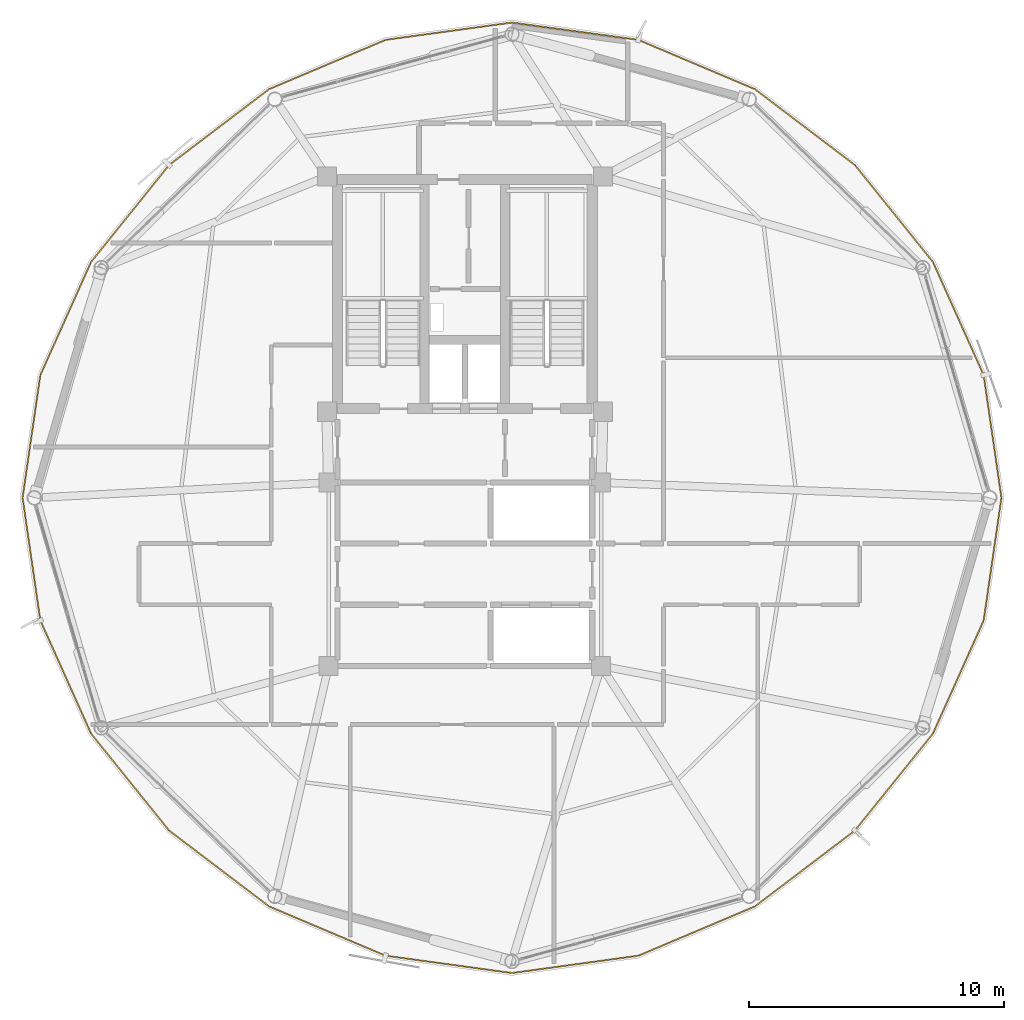
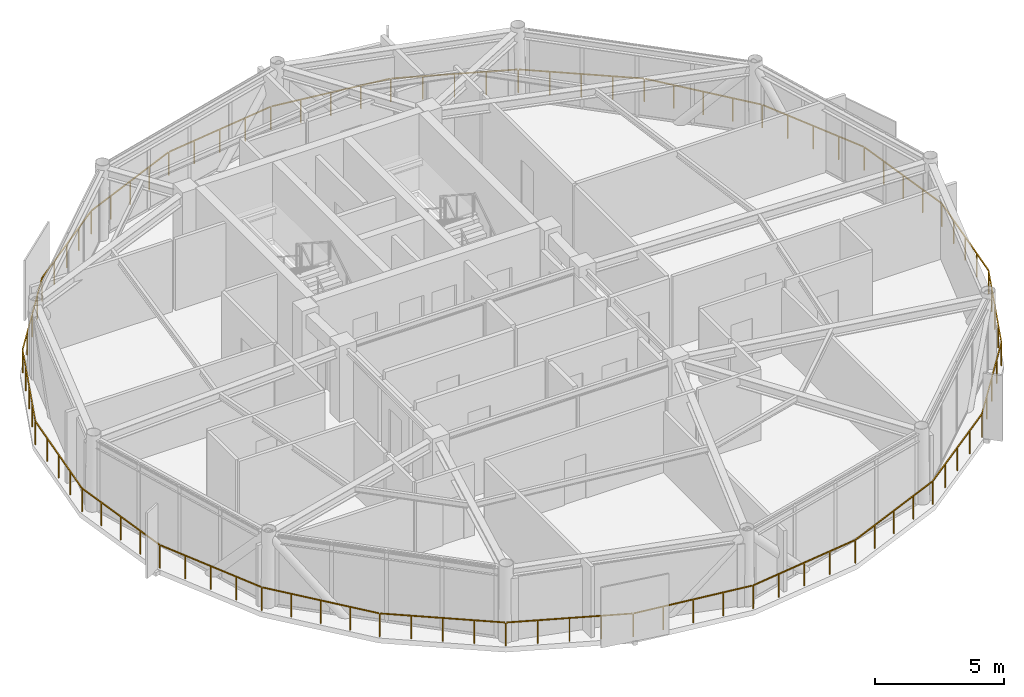
# One storey, part 26 of 27: 1 railing.
"""IFC4 building model written with IfcOpenShell, lengths in metres."""

from ifc_helpers import new_model, si_unit, direction, frame, origin, origin_2d, place, context, subcontext, project, spatial, rectangle, extrude, material, type_object, element, save


model = new_model("IFC4")

# Units and contexts
model_context = context("Model", 3, precision=1e-05, world=origin(), true_north=direction((0.0, 1.0)))
body_context = subcontext(model_context, "Body", "Model", "MODEL_VIEW")
ifc_project = project(units=[si_unit("LENGTHUNIT", "METRE"), si_unit("AREAUNIT", "SQUARE_METRE"), si_unit("VOLUMEUNIT", "CUBIC_METRE"), si_unit("PLANEANGLEUNIT", "RADIAN"), si_unit("MASSUNIT", "GRAM", prefix="KILO")], contexts=[model_context])

# Site, building, storey
site_placement = place(None, origin())
site = spatial("IfcSite", under=ifc_project, at=site_placement, CompositionType="ELEMENT")
building_placement = place(site_placement, origin())
building = spatial("IfcBuilding", under=site, at=building_placement, Name="Varnakorn Sky Granary", CompositionType="ELEMENT")
storey_placement = place(building_placement, frame((0.0, 0.0, 232.800048828125)))
storey = spatial("IfcBuildingStorey", under=building, at=storey_placement, Name="L59", CompositionType="ELEMENT", Elevation=232.800048828125)

# Railing
ifc_material = material(Name="Anodised Bronze Aluminium Alloy 6063-T6", Category="aluminium")
railing_type = type_object("IfcRailingType", Name="RL-BAL-1120", PredefinedType="BALUSTRADE", material=ifc_material)
railing_placement = place(storey_placement, frame((24.06494140625, 0.0, 0.0)))
element("IfcRailing", 1, at=railing_placement, inside=storey, type_object=railing_type, Name="Perimeter Slab-Edge Safety Guard L59", PredefinedType="BALUSTRADE", context=body_context, shape_type="SweptSolid", body=[
    extrude(rectangle(XDim=0.048095703125, YDim=0.048095703125, at=origin_2d()), frame((-0.00390625, -0.02783203125, 1.09619140625), z_axis=(-0.143359982334, -0.989670609579, 0.0), x_axis=(0.989670609579, -0.143359982334, 0.0)), (0.0, 0.0, 1.0), 4.809326171875),
    extrude(rectangle(XDim=0.048095703125, YDim=0.048095703125, at=origin_2d()), frame((-0.708984375, -4.8408203125, 1.09619140625), z_axis=(-0.409094770108, -0.912491900825, 0.0), x_axis=(0.912491900825, -0.409094770108, 0.0)), (0.0, 0.0, 1.0), 4.813720703125),
    extrude(rectangle(XDim=0.048095703125, YDim=0.048095703125, at=origin_2d()), frame((-2.707275390625, -9.280517578125, 1.09619140625), z_axis=(-0.627147700113, -0.778900354502, 0.0), x_axis=(0.778900354502, -0.627147700113, 0.0)), (0.0, 0.0, 1.0), 4.829833984375),
    extrude(rectangle(XDim=0.048095703125, YDim=0.048095703125, at=origin_2d()), frame((-5.776123046875, -13.081298828125, 1.09619140625), z_axis=(-0.796529023082, -0.604600293904, 0.0), x_axis=(0.604600293904, -0.796529023082, 0.0)), (0.0, 0.0, 1.0), 4.86669921875),
    extrude(rectangle(XDim=0.048095703125, YDim=0.048095703125, at=origin_2d()), frame((-9.700927734375, -16.0517578125, 1.09619140625), z_axis=(-0.920963862359, -0.389648000417, 0.0), x_axis=(0.389648000417, -0.920963862359, 0.0)), (0.0, 0.0, 1.0), 4.915771484375),
    extrude(rectangle(XDim=0.048095703125, YDim=0.048095703125, at=origin_2d()), frame((-14.28173828125, -17.98193359375, 1.09619140625), z_axis=(-0.990764182392, -0.135596220041, 0.0), x_axis=(0.135596220041, -0.990764182392, 0.0)), (0.0, 0.0, 1.0), 4.951171875),
    extrude(rectangle(XDim=0.048095703125, YDim=0.048095703125, at=origin_2d()), frame((-19.24267578125, -18.653076171875, 1.09619140625), z_axis=(-0.990765078809, 0.135589670005, 0.0), x_axis=(-0.135589670005, -0.990765078809, 0.0)), (0.0, 0.0, 1.0), 4.951416015625),
    extrude(rectangle(XDim=0.048095703125, YDim=0.048095703125, at=origin_2d()), frame((-24.201904296875, -17.967041015625, 1.09619140625), z_axis=(-0.920963862359, 0.389648000417, 0.0), x_axis=(-0.389648000417, -0.920963862359, 0.0)), (0.0, 0.0, 1.0), 4.915771484375),
    extrude(rectangle(XDim=0.048095703125, YDim=0.048095703125, at=origin_2d()), frame((-28.777099609375, -16.02392578125, 1.09619140625), z_axis=(-0.796529023082, 0.604600293904, 0.0), x_axis=(-0.604600293904, -0.796529023082, 0.0)), (0.0, 0.0, 1.0), 4.86669921875),
    extrude(rectangle(XDim=0.048095703125, YDim=0.048095703125, at=origin_2d()), frame((-32.693603515625, -13.042724609375, 1.09619140625), z_axis=(-0.627147700113, 0.778900354502, 0.0), x_axis=(-0.778900354502, -0.627147700113, 0.0)), (0.0, 0.0, 1.0), 4.829833984375),
    extrude(rectangle(XDim=0.048095703125, YDim=0.048095703125, at=origin_2d()), frame((-35.751708984375, -9.233154296875, 1.09619140625), z_axis=(-0.409094770108, 0.912491900825, 0.0), x_axis=(-0.912491900825, -0.409094770108, 0.0)), (0.0, 0.0, 1.0), 4.813720703125),
    extrude(rectangle(XDim=0.048095703125, YDim=0.048095703125, at=origin_2d()), frame((-37.736328125, -4.787353515625, 1.09619140625), z_axis=(-0.143359982334, 0.989670609579, 0.0), x_axis=(-0.989670609579, -0.143359982334, 0.0)), (0.0, 0.0, 1.0), 4.809326171875),
    extrude(rectangle(XDim=0.048095703125, YDim=0.048095703125, at=origin_2d()), frame((-38.426025390625, 0.02783203125, 1.09619140625), z_axis=(0.143359982334, 0.989670609579, 0.0), x_axis=(-0.989670609579, 0.143359982334, 0.0)), (0.0, 0.0, 1.0), 4.809326171875),
    extrude(rectangle(XDim=0.048095703125, YDim=0.048095703125, at=origin_2d()), frame((-37.720947265625, 4.8408203125, 1.09619140625), z_axis=(0.409094770108, 0.912491900825, 0.0), x_axis=(-0.912491900825, 0.409094770108, 0.0)), (0.0, 0.0, 1.0), 4.813720703125),
    extrude(rectangle(XDim=0.048095703125, YDim=0.048095703125, at=origin_2d()), frame((-35.72265625, 9.280517578125, 1.09619140625), z_axis=(0.627147700113, 0.778900354502, 0.0), x_axis=(-0.778900354502, 0.627147700113, 0.0)), (0.0, 0.0, 1.0), 4.829833984375),
    extrude(rectangle(XDim=0.048095703125, YDim=0.048095703125, at=origin_2d()), frame((-32.65380859375, 13.081298828125, 1.09619140625), z_axis=(0.796529023082, 0.604600293904, 0.0), x_axis=(-0.604600293904, 0.796529023082, 0.0)), (0.0, 0.0, 1.0), 4.86669921875),
    extrude(rectangle(XDim=0.048095703125, YDim=0.048095703125, at=origin_2d()), frame((-28.72900390625, 16.0517578125, 1.09619140625), z_axis=(0.920963862359, 0.389648000417, 0.0), x_axis=(-0.389648000417, 0.920963862359, 0.0)), (0.0, 0.0, 1.0), 4.915771484375),
    extrude(rectangle(XDim=0.048095703125, YDim=0.048095703125, at=origin_2d()), frame((-24.148193359375, 17.98193359375, 1.09619140625), z_axis=(0.990765078809, 0.135589670005, 0.0), x_axis=(-0.135589670005, 0.990765078809, 0.0)), (0.0, 0.0, 1.0), 4.951416015625),
    extrude(rectangle(XDim=0.048095703125, YDim=0.048095703125, at=origin_2d()), frame((-19.18701171875, 18.653076171875, 1.09619140625), z_axis=(0.990764182392, -0.135596220041, 0.0), x_axis=(0.135596220041, 0.990764182392, 0.0)), (0.0, 0.0, 1.0), 4.951171875),
    extrude(rectangle(XDim=0.048095703125, YDim=0.048095703125, at=origin_2d()), frame((-14.22802734375, 17.967041015625, 1.09619140625), z_axis=(0.920963862359, -0.389648000417, 0.0), x_axis=(0.389648000417, 0.920963862359, 0.0)), (0.0, 0.0, 1.0), 4.915771484375),
    extrude(rectangle(XDim=0.048095703125, YDim=0.048095703125, at=origin_2d()), frame((-9.65283203125, 16.02392578125, 1.09619140625), z_axis=(0.796529023082, -0.604600293904, 0.0), x_axis=(0.604600293904, 0.796529023082, 0.0)), (0.0, 0.0, 1.0), 4.86669921875),
    extrude(rectangle(XDim=0.048095703125, YDim=0.048095703125, at=origin_2d()), frame((-5.736328125, 13.042724609375, 1.09619140625), z_axis=(0.627147700113, -0.778900354502, 0.0), x_axis=(0.778900354502, 0.627147700113, 0.0)), (0.0, 0.0, 1.0), 4.829833984375),
    extrude(rectangle(XDim=0.048095703125, YDim=0.048095703125, at=origin_2d()), frame((-2.67822265625, 9.233154296875, 1.09619140625), z_axis=(0.409094770108, -0.912491900825, 0.0), x_axis=(0.912491900825, 0.409094770108, 0.0)), (0.0, 0.0, 1.0), 4.813720703125),
    extrude(rectangle(XDim=0.048095703125, YDim=0.048095703125, at=origin_2d()), frame((-0.693603515625, 4.787353515625, 1.09619140625), z_axis=(0.143359982334, -0.989670609579, 0.0), x_axis=(0.989670609579, 0.143359982334, 0.0)), (0.0, 0.0, 1.0), 4.809326171875),
    extrude(rectangle(XDim=0.0419921875, YDim=0.0419921875, at=origin_2d()), origin(), (0.0, 0.0, 1.0), 1.068115234375),
    extrude(rectangle(XDim=0.0419921875, YDim=0.0419921875, at=origin_2d()), frame((-0.17431640625, -1.203857421875, 0.0)), (0.0, 0.0, 1.0), 1.068115234375),
    extrude(rectangle(XDim=0.0419921875, YDim=0.0419921875, at=origin_2d()), frame((-0.3486328125, -2.40771484375, 0.0)), (0.0, 0.0, 1.0), 1.068115234375),
    extrude(rectangle(XDim=0.0419921875, YDim=0.0419921875, at=origin_2d()), frame((-0.523193359375, -3.611328125, 0.0)), (0.0, 0.0, 1.0), 1.068115234375),
    extrude(rectangle(XDim=0.0419921875, YDim=0.0419921875, at=origin_2d()), frame((-0.697509765625, -4.815185546875, 0.0)), (0.0, 0.0, 1.0), 1.068115234375),
    extrude(rectangle(XDim=0.0419921875, YDim=0.0419921875, at=origin_2d()), frame((-1.195556640625, -5.926025390625, 0.0)), (0.0, 0.0, 1.0), 1.068115234375),
    extrude(rectangle(XDim=0.0419921875, YDim=0.0419921875, at=origin_2d()), frame((-1.693603515625, -7.037109375, 0.0)), (0.0, 0.0, 1.0), 1.068115234375),
    extrude(rectangle(XDim=0.0419921875, YDim=0.0419921875, at=origin_2d()), frame((-2.191650390625, -8.14794921875, 0.0)), (0.0, 0.0, 1.0), 1.068115234375),
    extrude(rectangle(XDim=0.0419921875, YDim=0.0419921875, at=origin_2d()), frame((-2.689697265625, -9.2587890625, 0.0)), (0.0, 0.0, 1.0), 1.068115234375),
    extrude(rectangle(XDim=0.0419921875, YDim=0.0419921875, at=origin_2d()), frame((-3.455810546875, -10.210205078125, 0.0)), (0.0, 0.0, 1.0), 1.068115234375),
    extrude(rectangle(XDim=0.0419921875, YDim=0.0419921875, at=origin_2d()), frame((-4.2216796875, -11.16162109375, 0.0)), (0.0, 0.0, 1.0), 1.068115234375),
    extrude(rectangle(XDim=0.0419921875, YDim=0.0419921875, at=origin_2d()), frame((-4.98779296875, -12.113037109375, 0.0)), (0.0, 0.0, 1.0), 1.068115234375),
    extrude(rectangle(XDim=0.0419921875, YDim=0.0419921875, at=origin_2d()), frame((-5.75390625, -13.064453125, 0.0)), (0.0, 0.0, 1.0), 1.068115234375),
    extrude(rectangle(XDim=0.0419921875, YDim=0.0419921875, at=origin_2d()), frame((-6.734130859375, -13.80859375, 0.0)), (0.0, 0.0, 1.0), 1.068115234375),
    extrude(rectangle(XDim=0.0419921875, YDim=0.0419921875, at=origin_2d()), frame((-7.71435546875, -14.552734375, 0.0)), (0.0, 0.0, 1.0), 1.068115234375),
    extrude(rectangle(XDim=0.0419921875, YDim=0.0419921875, at=origin_2d()), frame((-8.69482421875, -15.296630859375, 0.0)), (0.0, 0.0, 1.0), 1.068115234375),
    extrude(rectangle(XDim=0.0419921875, YDim=0.0419921875, at=origin_2d()), frame((-9.675048828125, -16.040771484375, 0.0)), (0.0, 0.0, 1.0), 1.068115234375),
    extrude(rectangle(XDim=0.0419921875, YDim=0.0419921875, at=origin_2d()), frame((-10.81982421875, -16.525146484375, 0.0)), (0.0, 0.0, 1.0), 1.068115234375),
    extrude(rectangle(XDim=0.0419921875, YDim=0.0419921875, at=origin_2d()), frame((-11.96435546875, -17.00927734375, 0.0)), (0.0, 0.0, 1.0), 1.068115234375),
    extrude(rectangle(XDim=0.0419921875, YDim=0.0419921875, at=origin_2d()), frame((-13.109130859375, -17.49365234375, 0.0)), (0.0, 0.0, 1.0), 1.068115234375),
    extrude(rectangle(XDim=0.0419921875, YDim=0.0419921875, at=origin_2d()), frame((-14.25390625, -17.97802734375, 0.0)), (0.0, 0.0, 1.0), 1.068115234375),
    extrude(rectangle(XDim=0.0419921875, YDim=0.0419921875, at=origin_2d()), frame((-15.494140625, -18.147705078125, 0.0)), (0.0, 0.0, 1.0), 1.068115234375),
    extrude(rectangle(XDim=0.0419921875, YDim=0.0419921875, at=origin_2d()), frame((-16.734375, -18.3173828125, 0.0)), (0.0, 0.0, 1.0), 1.068115234375),
    extrude(rectangle(XDim=0.0419921875, YDim=0.0419921875, at=origin_2d()), frame((-17.974609375, -18.4873046875, 0.0)), (0.0, 0.0, 1.0), 1.068115234375),
    extrude(rectangle(XDim=0.0419921875, YDim=0.0419921875, at=origin_2d()), frame((-19.21484375, -18.656982421875, 0.0)), (0.0, 0.0, 1.0), 1.068115234375),
    extrude(rectangle(XDim=0.0419921875, YDim=0.0419921875, at=origin_2d()), frame((-20.455078125, -18.4873046875, 0.0)), (0.0, 0.0, 1.0), 1.068115234375),
    extrude(rectangle(XDim=0.0419921875, YDim=0.0419921875, at=origin_2d()), frame((-21.6953125, -18.3173828125, 0.0)), (0.0, 0.0, 1.0), 1.068115234375),
    extrude(rectangle(XDim=0.0419921875, YDim=0.0419921875, at=origin_2d()), frame((-22.935791015625, -18.147705078125, 0.0)), (0.0, 0.0, 1.0), 1.068115234375),
    extrude(rectangle(XDim=0.0419921875, YDim=0.0419921875, at=origin_2d()), frame((-24.176025390625, -17.97802734375, 0.0)), (0.0, 0.0, 1.0), 1.068115234375),
    extrude(rectangle(XDim=0.0419921875, YDim=0.0419921875, at=origin_2d()), frame((-25.32080078125, -17.49365234375, 0.0)), (0.0, 0.0, 1.0), 1.068115234375),
    extrude(rectangle(XDim=0.0419921875, YDim=0.0419921875, at=origin_2d()), frame((-26.46533203125, -17.00927734375, 0.0)), (0.0, 0.0, 1.0), 1.068115234375),
    extrude(rectangle(XDim=0.0419921875, YDim=0.0419921875, at=origin_2d()), frame((-27.610107421875, -16.525146484375, 0.0)), (0.0, 0.0, 1.0), 1.068115234375),
    extrude(rectangle(XDim=0.0419921875, YDim=0.0419921875, at=origin_2d()), frame((-28.7548828125, -16.040771484375, 0.0)), (0.0, 0.0, 1.0), 1.068115234375),
    extrude(rectangle(XDim=0.0419921875, YDim=0.0419921875, at=origin_2d()), frame((-29.735107421875, -15.296630859375, 0.0)), (0.0, 0.0, 1.0), 1.068115234375),
    extrude(rectangle(XDim=0.0419921875, YDim=0.0419921875, at=origin_2d()), frame((-30.71533203125, -14.552734375, 0.0)), (0.0, 0.0, 1.0), 1.068115234375),
    extrude(rectangle(XDim=0.0419921875, YDim=0.0419921875, at=origin_2d()), frame((-31.69580078125, -13.80859375, 0.0)), (0.0, 0.0, 1.0), 1.068115234375),
    extrude(rectangle(XDim=0.0419921875, YDim=0.0419921875, at=origin_2d()), frame((-32.676025390625, -13.064453125, 0.0)), (0.0, 0.0, 1.0), 1.068115234375),
    extrude(rectangle(XDim=0.0419921875, YDim=0.0419921875, at=origin_2d()), frame((-33.442138671875, -12.113037109375, 0.0)), (0.0, 0.0, 1.0), 1.068115234375),
    extrude(rectangle(XDim=0.0419921875, YDim=0.0419921875, at=origin_2d()), frame((-34.2080078125, -11.16162109375, 0.0)), (0.0, 0.0, 1.0), 1.068115234375),
    extrude(rectangle(XDim=0.0419921875, YDim=0.0419921875, at=origin_2d()), frame((-34.97412109375, -10.210205078125, 0.0)), (0.0, 0.0, 1.0), 1.068115234375),
    extrude(rectangle(XDim=0.0419921875, YDim=0.0419921875, at=origin_2d()), frame((-35.740234375, -9.2587890625, 0.0)), (0.0, 0.0, 1.0), 1.068115234375),
    extrude(rectangle(XDim=0.0419921875, YDim=0.0419921875, at=origin_2d()), frame((-36.23828125, -8.14794921875, 0.0)), (0.0, 0.0, 1.0), 1.068115234375),
    extrude(rectangle(XDim=0.0419921875, YDim=0.0419921875, at=origin_2d()), frame((-36.736328125, -7.037109375, 0.0)), (0.0, 0.0, 1.0), 1.068115234375),
    extrude(rectangle(XDim=0.0419921875, YDim=0.0419921875, at=origin_2d()), frame((-37.234375, -5.926025390625, 0.0)), (0.0, 0.0, 1.0), 1.068115234375),
    extrude(rectangle(XDim=0.0419921875, YDim=0.0419921875, at=origin_2d()), frame((-37.732421875, -4.815185546875, 0.0)), (0.0, 0.0, 1.0), 1.068115234375),
    extrude(rectangle(XDim=0.0419921875, YDim=0.0419921875, at=origin_2d()), frame((-37.90673828125, -3.611328125, 0.0)), (0.0, 0.0, 1.0), 1.068115234375),
    extrude(rectangle(XDim=0.0419921875, YDim=0.0419921875, at=origin_2d()), frame((-38.0810546875, -2.40771484375, 0.0)), (0.0, 0.0, 1.0), 1.068115234375),
    extrude(rectangle(XDim=0.0419921875, YDim=0.0419921875, at=origin_2d()), frame((-38.255615234375, -1.203857421875, 0.0)), (0.0, 0.0, 1.0), 1.068115234375),
    extrude(rectangle(XDim=0.0419921875, YDim=0.0419921875, at=origin_2d()), frame((-38.429931640625, 0.0, 0.0)), (0.0, 0.0, 1.0), 1.068115234375),
    extrude(rectangle(XDim=0.0419921875, YDim=0.0419921875, at=origin_2d()), frame((-38.255615234375, 1.203857421875, 0.0)), (0.0, 0.0, 1.0), 1.068115234375),
    extrude(rectangle(XDim=0.0419921875, YDim=0.0419921875, at=origin_2d()), frame((-38.0810546875, 2.40771484375, 0.0)), (0.0, 0.0, 1.0), 1.068115234375),
    extrude(rectangle(XDim=0.0419921875, YDim=0.0419921875, at=origin_2d()), frame((-37.90673828125, 3.611328125, 0.0)), (0.0, 0.0, 1.0), 1.068115234375),
    extrude(rectangle(XDim=0.0419921875, YDim=0.0419921875, at=origin_2d()), frame((-37.732421875, 4.815185546875, 0.0)), (0.0, 0.0, 1.0), 1.068115234375),
    extrude(rectangle(XDim=0.0419921875, YDim=0.0419921875, at=origin_2d()), frame((-37.234375, 5.926025390625, 0.0)), (0.0, 0.0, 1.0), 1.068115234375),
    extrude(rectangle(XDim=0.0419921875, YDim=0.0419921875, at=origin_2d()), frame((-36.736328125, 7.037109375, 0.0)), (0.0, 0.0, 1.0), 1.068115234375),
    extrude(rectangle(XDim=0.0419921875, YDim=0.0419921875, at=origin_2d()), frame((-36.23828125, 8.14794921875, 0.0)), (0.0, 0.0, 1.0), 1.068115234375),
    extrude(rectangle(XDim=0.0419921875, YDim=0.0419921875, at=origin_2d()), frame((-35.740234375, 9.2587890625, 0.0)), (0.0, 0.0, 1.0), 1.068115234375),
    extrude(rectangle(XDim=0.0419921875, YDim=0.0419921875, at=origin_2d()), frame((-34.97412109375, 10.210205078125, 0.0)), (0.0, 0.0, 1.0), 1.068115234375),
    extrude(rectangle(XDim=0.0419921875, YDim=0.0419921875, at=origin_2d()), frame((-34.2080078125, 11.16162109375, 0.0)), (0.0, 0.0, 1.0), 1.068115234375),
    extrude(rectangle(XDim=0.0419921875, YDim=0.0419921875, at=origin_2d()), frame((-33.442138671875, 12.113037109375, 0.0)), (0.0, 0.0, 1.0), 1.068115234375),
    extrude(rectangle(XDim=0.0419921875, YDim=0.0419921875, at=origin_2d()), frame((-32.676025390625, 13.064453125, 0.0)), (0.0, 0.0, 1.0), 1.068115234375),
    extrude(rectangle(XDim=0.0419921875, YDim=0.0419921875, at=origin_2d()), frame((-31.69580078125, 13.80859375, 0.0)), (0.0, 0.0, 1.0), 1.068115234375),
    extrude(rectangle(XDim=0.0419921875, YDim=0.0419921875, at=origin_2d()), frame((-30.71533203125, 14.552734375, 0.0)), (0.0, 0.0, 1.0), 1.068115234375),
    extrude(rectangle(XDim=0.0419921875, YDim=0.0419921875, at=origin_2d()), frame((-29.735107421875, 15.296630859375, 0.0)), (0.0, 0.0, 1.0), 1.068115234375),
    extrude(rectangle(XDim=0.0419921875, YDim=0.0419921875, at=origin_2d()), frame((-28.7548828125, 16.040771484375, 0.0)), (0.0, 0.0, 1.0), 1.068115234375),
    extrude(rectangle(XDim=0.0419921875, YDim=0.0419921875, at=origin_2d()), frame((-27.610107421875, 16.525146484375, 0.0)), (0.0, 0.0, 1.0), 1.068115234375),
    extrude(rectangle(XDim=0.0419921875, YDim=0.0419921875, at=origin_2d()), frame((-26.46533203125, 17.00927734375, 0.0)), (0.0, 0.0, 1.0), 1.068115234375),
    extrude(rectangle(XDim=0.0419921875, YDim=0.0419921875, at=origin_2d()), frame((-25.32080078125, 17.49365234375, 0.0)), (0.0, 0.0, 1.0), 1.068115234375),
    extrude(rectangle(XDim=0.0419921875, YDim=0.0419921875, at=origin_2d()), frame((-24.176025390625, 17.97802734375, 0.0)), (0.0, 0.0, 1.0), 1.068115234375),
    extrude(rectangle(XDim=0.0419921875, YDim=0.0419921875, at=origin_2d()), frame((-22.935791015625, 18.147705078125, 0.0)), (0.0, 0.0, 1.0), 1.068115234375),
    extrude(rectangle(XDim=0.0419921875, YDim=0.0419921875, at=origin_2d()), frame((-21.6953125, 18.3173828125, 0.0)), (0.0, 0.0, 1.0), 1.068115234375),
    extrude(rectangle(XDim=0.0419921875, YDim=0.0419921875, at=origin_2d()), frame((-20.455078125, 18.4873046875, 0.0)), (0.0, 0.0, 1.0), 1.068115234375),
    extrude(rectangle(XDim=0.0419921875, YDim=0.0419921875, at=origin_2d()), frame((-19.21484375, 18.656982421875, 0.0)), (0.0, 0.0, 1.0), 1.068115234375),
    extrude(rectangle(XDim=0.0419921875, YDim=0.0419921875, at=origin_2d()), frame((-17.974609375, 18.4873046875, 0.0)), (0.0, 0.0, 1.0), 1.068115234375),
    extrude(rectangle(XDim=0.0419921875, YDim=0.0419921875, at=origin_2d()), frame((-16.734375, 18.3173828125, 0.0)), (0.0, 0.0, 1.0), 1.068115234375),
    extrude(rectangle(XDim=0.0419921875, YDim=0.0419921875, at=origin_2d()), frame((-15.494140625, 18.147705078125, 0.0)), (0.0, 0.0, 1.0), 1.068115234375),
    extrude(rectangle(XDim=0.0419921875, YDim=0.0419921875, at=origin_2d()), frame((-14.25390625, 17.97802734375, 0.0)), (0.0, 0.0, 1.0), 1.068115234375),
    extrude(rectangle(XDim=0.0419921875, YDim=0.0419921875, at=origin_2d()), frame((-13.109130859375, 17.49365234375, 0.0)), (0.0, 0.0, 1.0), 1.068115234375),
    extrude(rectangle(XDim=0.0419921875, YDim=0.0419921875, at=origin_2d()), frame((-11.96435546875, 17.00927734375, 0.0)), (0.0, 0.0, 1.0), 1.068115234375),
    extrude(rectangle(XDim=0.0419921875, YDim=0.0419921875, at=origin_2d()), frame((-10.81982421875, 16.525146484375, 0.0)), (0.0, 0.0, 1.0), 1.068115234375),
    extrude(rectangle(XDim=0.0419921875, YDim=0.0419921875, at=origin_2d()), frame((-9.675048828125, 16.040771484375, 0.0)), (0.0, 0.0, 1.0), 1.068115234375),
    extrude(rectangle(XDim=0.0419921875, YDim=0.0419921875, at=origin_2d()), frame((-8.69482421875, 15.296630859375, 0.0)), (0.0, 0.0, 1.0), 1.068115234375),
    extrude(rectangle(XDim=0.0419921875, YDim=0.0419921875, at=origin_2d()), frame((-7.71435546875, 14.552734375, 0.0)), (0.0, 0.0, 1.0), 1.068115234375),
    extrude(rectangle(XDim=0.0419921875, YDim=0.0419921875, at=origin_2d()), frame((-6.734130859375, 13.80859375, 0.0)), (0.0, 0.0, 1.0), 1.068115234375),
    extrude(rectangle(XDim=0.0419921875, YDim=0.0419921875, at=origin_2d()), frame((-5.75390625, 13.064453125, 0.0)), (0.0, 0.0, 1.0), 1.068115234375),
    extrude(rectangle(XDim=0.0419921875, YDim=0.0419921875, at=origin_2d()), frame((-4.98779296875, 12.113037109375, 0.0)), (0.0, 0.0, 1.0), 1.068115234375),
    extrude(rectangle(XDim=0.0419921875, YDim=0.0419921875, at=origin_2d()), frame((-4.2216796875, 11.16162109375, 0.0)), (0.0, 0.0, 1.0), 1.068115234375),
    extrude(rectangle(XDim=0.0419921875, YDim=0.0419921875, at=origin_2d()), frame((-3.455810546875, 10.210205078125, 0.0)), (0.0, 0.0, 1.0), 1.068115234375),
    extrude(rectangle(XDim=0.0419921875, YDim=0.0419921875, at=origin_2d()), frame((-2.689697265625, 9.2587890625, 0.0)), (0.0, 0.0, 1.0), 1.068115234375),
    extrude(rectangle(XDim=0.0419921875, YDim=0.0419921875, at=origin_2d()), frame((-2.191650390625, 8.14794921875, 0.0)), (0.0, 0.0, 1.0), 1.068115234375),
    extrude(rectangle(XDim=0.0419921875, YDim=0.0419921875, at=origin_2d()), frame((-1.693603515625, 7.037109375, 0.0)), (0.0, 0.0, 1.0), 1.068115234375),
    extrude(rectangle(XDim=0.0419921875, YDim=0.0419921875, at=origin_2d()), frame((-1.195556640625, 5.926025390625, 0.0)), (0.0, 0.0, 1.0), 1.068115234375),
    extrude(rectangle(XDim=0.0419921875, YDim=0.0419921875, at=origin_2d()), frame((-0.697509765625, 4.815185546875, 0.0)), (0.0, 0.0, 1.0), 1.068115234375),
    extrude(rectangle(XDim=0.0419921875, YDim=0.0419921875, at=origin_2d()), frame((-0.523193359375, 3.611328125, 0.0)), (0.0, 0.0, 1.0), 1.068115234375),
    extrude(rectangle(XDim=0.0419921875, YDim=0.0419921875, at=origin_2d()), frame((-0.3486328125, 2.40771484375, 0.0)), (0.0, 0.0, 1.0), 1.068115234375),
    extrude(rectangle(XDim=0.0419921875, YDim=0.0419921875, at=origin_2d()), frame((-0.17431640625, 1.203857421875, 0.0)), (0.0, 0.0, 1.0), 1.068115234375),
])

save(model, "model.ifc")
